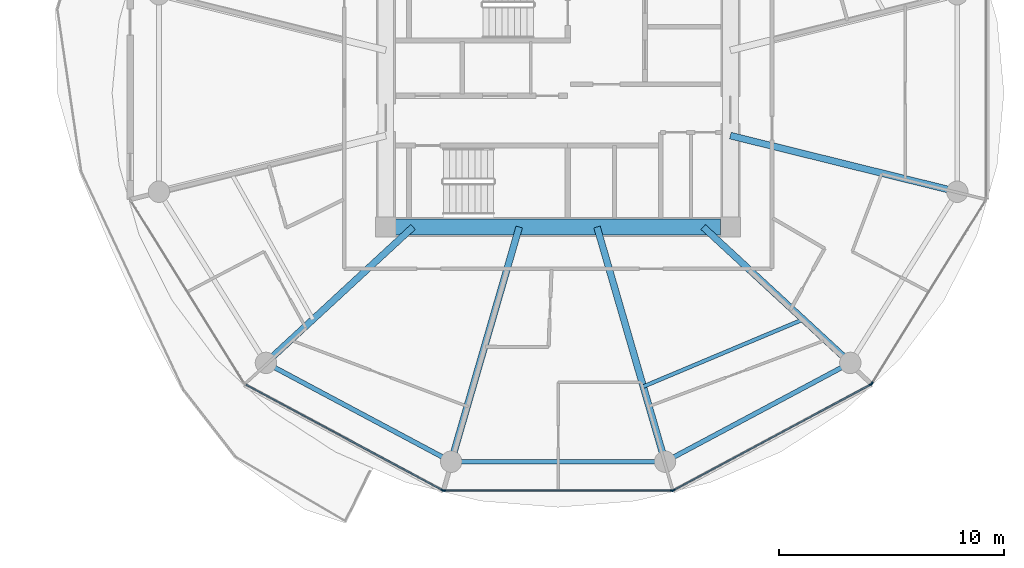
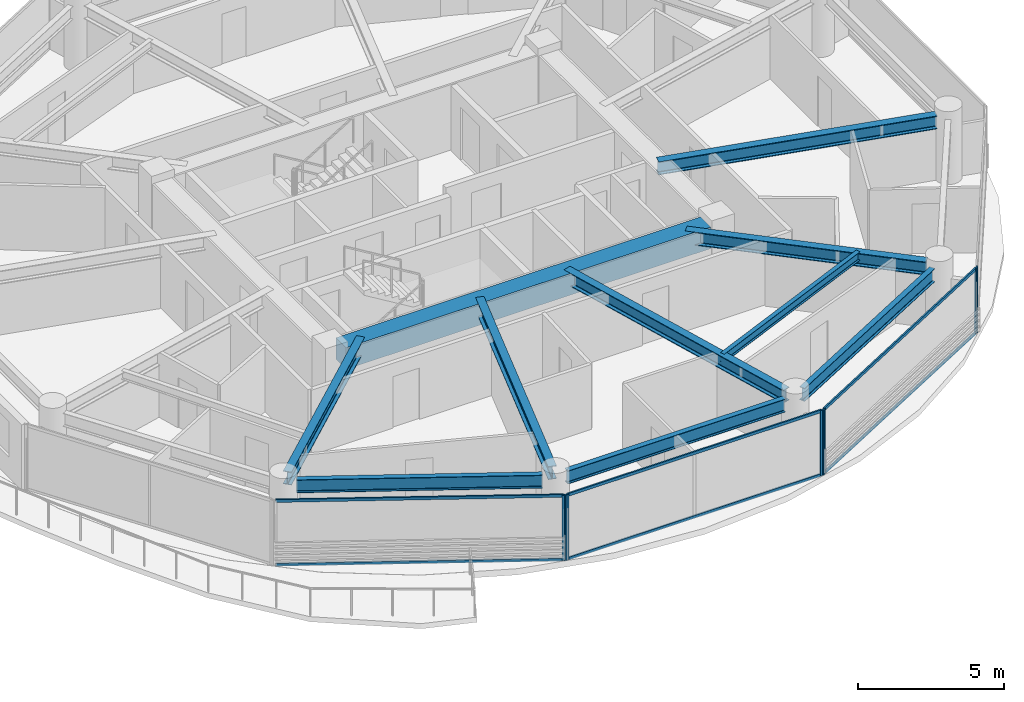
# One storey, part 10 of 26: 12 members, 10 beams, 4 elements without a shape of their own.
"""IFC4 building model written with IfcOpenShell, lengths in metres."""

from ifc_helpers import new_model, si_unit, direction, frame, origin, origin_2d, place, context, subcontext, project, spatial, rectangle, i_section, extrude, source, transform, mapped, material, layer, layer_set, material_profile, profile_set, type_object, type_shapes, element, aggregate, save


model = new_model("IFC4")

# Units and contexts
model_context = context("Model", 3, precision=1e-05, world=origin(), true_north=direction((0.0, 1.0)))
body_context = subcontext(model_context, "Body", "Model", "MODEL_VIEW")
ifc_project = project(units=[si_unit("LENGTHUNIT", "METRE"), si_unit("AREAUNIT", "SQUARE_METRE"), si_unit("VOLUMEUNIT", "CUBIC_METRE"), si_unit("PLANEANGLEUNIT", "RADIAN"), si_unit("MASSUNIT", "GRAM", prefix="KILO")], contexts=[model_context])

# Site, building, storey
site_placement = place(None, origin())
site = spatial("IfcSite", under=ifc_project, at=site_placement, CompositionType="ELEMENT")
building_placement = place(site_placement, origin())
building = spatial("IfcBuilding", under=site, at=building_placement, Name="Norrkilde Senior Care Towers", CompositionType="ELEMENT")
storey_placement = place(building_placement, frame((0.0, 0.0, 70.39990234375)))
storey = spatial("IfcBuildingStorey", under=building, at=storey_placement, Name="L21", CompositionType="ELEMENT", Elevation=70.39990234375)

# Beams
ifc_material_1 = material(Name="Concrete C60/75", Category="concrete")
ifc_material_profile_1 = material_profile(ifc_material_1, rectangle(XDim=0.699951171875, YDim=0.89990234375, at=origin_2d()), Name="RC BM 700x900")
ifc_profile_set_1 = profile_set([ifc_material_profile_1], Name="Concrete C60/75")
beam_type_1 = type_object("IfcBeamType", Name="Core Coupling Girder 700x900", PredefinedType="USERDEFINED", material=ifc_profile_set_1)
shared_shape_1 = source(origin(), body_context, "Body", "SweptSolid", [
    extrude(rectangle(XDim=0.699951171875, YDim=0.89990234375, at=origin_2d()), origin(), (0.0, 0.0, 1.0), 14.43994140625),
])
type_shapes(beam_type_1, [shared_shape_1])
beam_1_placement = place(storey_placement, frame((20.780029296875, -5.949951171875, 2.280029296875), z_axis=(1.0, 0.0, 0.0), x_axis=(0.0, 1.0, 0.0)))
element("IfcBeam", 1, at=beam_1_placement, inside=storey, type_object=beam_type_1, Name="L21 Core E S Coupling Girder", ObjectType="GIRDER", PredefinedType="USERDEFINED", context=body_context, shape_type="MappedRepresentation", body=[
    mapped(shared_shape_1, transform((0.0, 0.0, 0.0), x_axis=(1.0, 0.0, 0.0), y_axis=(0.0, 1.0, 0.0), z_axis=(0.0, 0.0, 1.0), scale=1.0)),
])
ifc_material_2 = material(Name="Steel S355", Category="steel")
ifc_material_profile_2 = material_profile(ifc_material_2, i_section(OverallWidth=0.300048828125, OverallDepth=0.550048828125, WebThickness=0.014892578125, FlangeThickness=0.029052734375, FilletRadius=0.027099609375, at=origin_2d()), Name="HEB 550")
ifc_profile_set_2 = profile_set([ifc_material_profile_2], Name="Steel S355")
beam_type_2 = type_object("IfcBeamType", Name="Radial Floor Beam Z1 HEB550", PredefinedType="BEAM", material=ifc_profile_set_2)
shared_shape_2 = source(origin(), body_context, "Body", "SweptSolid", [
    extrude(i_section(OverallWidth=0.300048828125, OverallDepth=0.550048828125, WebThickness=0.014892578125, FlangeThickness=0.029052734375, FilletRadius=0.027099609375, at=origin_2d()), origin(), (0.0, 0.0, 1.0), 9.94384765625),
])
beam_2_placement = place(storey_placement, frame((35.64990234375, -1.893310546875, 2.455078125), z_axis=(0.970707425182, -0.240264634718, 0.0), x_axis=(0.240264634718, 0.970707425182, 0.0)))
element("IfcBeam", 2, at=beam_2_placement, inside=storey, type_object=beam_type_2, Name="L21 Drum E Radial Floor Beam 12", PredefinedType="BEAM", context=body_context, shape_type="MappedRepresentation", body=[
    mapped(shared_shape_2, transform((0.0, 0.0, 0.0), x_axis=(1.0, 0.0, 0.0), y_axis=(0.0, 1.0, 0.0), z_axis=(0.0, 0.0, 1.0), scale=1.0)),
])
ifc_material_profile_3 = material_profile(ifc_material_2, i_section(OverallWidth=0.2099609375, OverallDepth=0.550048828125, WebThickness=0.010986328125, FlangeThickness=0.01708984375, FilletRadius=0.02392578125, at=origin_2d()), Name="IPE 550")
ifc_profile_set_3 = profile_set([ifc_material_profile_3], Name="Steel S355")
beam_type_3 = type_object("IfcBeamType", Name="Perimeter Ring Spandrel Z1 IPE550", PredefinedType="SPANDREL", material=ifc_profile_set_3)
shared_shape_3 = source(origin(), body_context, "Body", "SweptSolid", [
    extrude(i_section(OverallWidth=0.2099609375, OverallDepth=0.550048828125, WebThickness=0.010986328125, FlangeThickness=0.01708984375, FilletRadius=0.02392578125, at=origin_2d()), origin(), (0.0, 0.0, 1.0), 8.452880859375),
])
for number, where, z_axis, x_axis, name in (
    (3, (15.408447265625, -12.190185546875, 2.455078125), (0.882368931134, -0.470558252898, 0.0), (0.470558252898, 0.882368931134, 0.0), "L21 Drum E Perimeter Spandrel 08"),
    (4, (33.133056640625, -16.167724609375, 2.455078125), (0.882368931134, 0.470558252898, 0.0), (-0.470558252898, 0.882368931134, 0.0), "L21 Drum E Perimeter Spandrel 10"),
):
    element("IfcBeam", number, at=place(storey_placement, frame(where, z_axis=z_axis, x_axis=x_axis)), inside=storey, type_object=beam_type_3, Name=name, PredefinedType="SPANDREL", context=body_context, shape_type="MappedRepresentation", body=[
        mapped(shared_shape_3, transform((0.0, 0.0, 0.0), x_axis=(1.0, 0.0, 0.0), y_axis=(0.0, 1.0, 0.0), z_axis=(0.0, 0.0, 1.0), scale=1.0)),
    ])
shared_shape_4 = source(origin(), body_context, "Body", "SweptSolid", [
    extrude(i_section(OverallWidth=0.300048828125, OverallDepth=0.550048828125, WebThickness=0.014892578125, FlangeThickness=0.029052734375, FilletRadius=0.027099609375, at=origin_2d()), origin(), (0.0, 0.0, 1.0), 8.459716796875),
])
for number, where, z_axis, x_axis, name in (
    (5, (21.55859375, -5.949951171875, 2.455078125), (-0.734573269108, -0.678529374686, 0.0), (0.678529374686, -0.734573269108, 0.0), "L21 Drum E Radial Floor Beam 08"),
    (6, (34.44140625, -5.949951171875, 2.455078125), (0.734573269108, -0.678529374686, 0.0), (0.678529374686, 0.734573269108, 0.0), "L21 Drum E Radial Floor Beam 11"),
):
    element("IfcBeam", number, at=place(storey_placement, frame(where, z_axis=z_axis, x_axis=x_axis)), inside=storey, type_object=beam_type_2, Name=name, PredefinedType="BEAM", context=body_context, shape_type="MappedRepresentation", body=[
        mapped(shared_shape_4, transform((0.0, 0.0, 0.0), x_axis=(1.0, 0.0, 0.0), y_axis=(0.0, 1.0, 0.0), z_axis=(0.0, 0.0, 1.0), scale=1.0)),
    ])
shared_shape_5 = source(origin(), body_context, "Body", "SweptSolid", [
    extrude(i_section(OverallWidth=0.2099609375, OverallDepth=0.550048828125, WebThickness=0.010986328125, FlangeThickness=0.01708984375, FilletRadius=0.02392578125, at=origin_2d()), origin(), (0.0, 0.0, 1.0), 8.62841796875),
])
type_shapes(beam_type_3, [shared_shape_3, shared_shape_5])
beam_3_placement = place(storey_placement, frame((23.685791015625, -16.37255859375, 2.455078125), z_axis=(1.0, 0.0, 0.0), x_axis=(0.0, 1.0, 0.0)))
element("IfcBeam", 7, at=beam_3_placement, inside=storey, type_object=beam_type_3, Name="L21 Drum E Perimeter Spandrel 09", PredefinedType="SPANDREL", context=body_context, shape_type="MappedRepresentation", body=[
    mapped(shared_shape_5, transform((0.0, 0.0, 0.0), x_axis=(1.0, 0.0, 0.0), y_axis=(0.0, 1.0, 0.0), z_axis=(0.0, 0.0, 1.0), scale=1.0)),
])
shared_shape_6 = source(origin(), body_context, "Body", "SweptSolid", [
    extrude(i_section(OverallWidth=0.300048828125, OverallDepth=0.550048828125, WebThickness=0.014892578125, FlangeThickness=0.029052734375, FilletRadius=0.027099609375, at=origin_2d()), origin(), (0.0, 0.0, 1.0), 10.4169921875),
])
type_shapes(beam_type_2, [shared_shape_2, shared_shape_4, shared_shape_6])
for number, where, z_axis, x_axis, name in (
    (8, (26.27392578125, -5.949951171875, 2.455078125), (-0.278591250785, -0.960409764104, 0.0), (0.960409764104, -0.278591250785, 0.0), "L21 Drum E Radial Floor Beam 09"),
    (9, (29.72607421875, -5.949951171875, 2.455078125), (0.278591250785, -0.960409764104, 0.0), (0.960409764104, 0.278591250785, 0.0), "L21 Drum E Radial Floor Beam 10"),
):
    element("IfcBeam", number, at=place(storey_placement, frame(where, z_axis=z_axis, x_axis=x_axis)), inside=storey, type_object=beam_type_2, Name=name, PredefinedType="BEAM", context=body_context, shape_type="MappedRepresentation", body=[
        mapped(shared_shape_6, transform((0.0, 0.0, 0.0), x_axis=(1.0, 0.0, 0.0), y_axis=(0.0, 1.0, 0.0), z_axis=(0.0, 0.0, 1.0), scale=1.0)),
    ])
ifc_material_profile_4 = material_profile(ifc_material_2, i_section(OverallWidth=0.169921875, OverallDepth=0.360107421875, WebThickness=0.008056640625, FlangeThickness=0.0126953125, FilletRadius=0.01806640625, at=origin_2d()), Name="IPE 360")
ifc_profile_set_4 = profile_set([ifc_material_profile_4], Name="Steel S355")
beam_type_4 = type_object("IfcBeamType", Name="Secondary Floor Joist IPE360", PredefinedType="JOIST", material=ifc_profile_set_4)
shared_shape_7 = source(origin(), body_context, "Body", "SweptSolid", [
    extrude(i_section(OverallWidth=0.169921875, OverallDepth=0.360107421875, WebThickness=0.008056640625, FlangeThickness=0.0126953125, FilletRadius=0.01806640625, at=origin_2d()), origin(), (0.0, 0.0, 1.0), 7.703857421875),
])
type_shapes(beam_type_4, [shared_shape_7])
beam_4_placement = place(storey_placement, frame((31.78173828125, -13.037353515625, 2.550048828125), z_axis=(0.921982784465, 0.387230868023, 0.0), x_axis=(-0.387230868023, 0.921982784465, 0.0)))
element("IfcBeam", 10, at=beam_4_placement, inside=storey, type_object=beam_type_4, Name="L21 Drum E Secondary Floor Joist 4", PredefinedType="JOIST", context=body_context, shape_type="MappedRepresentation", body=[
    mapped(shared_shape_7, transform((0.0, 0.0, 0.0), x_axis=(1.0, 0.0, 0.0), y_axis=(0.0, 1.0, 0.0), z_axis=(0.0, 0.0, 1.0), scale=1.0)),
])

# Curtain wall, members
ifc_material_3 = material(Name="Triple Low-E Insulated Glazing", Category="glass")
ifc_layer = layer(ifc_material_3, 0.199951171875)
ifc_layer_set = layer_set([ifc_layer], Name="Triple Low-E Insulated Glazing")
curtain_wall_type = type_object("IfcCurtainWallType", Name="CW2 Zone 1 Memory Care Curtain Wall", PredefinedType="NOTDEFINED", material=ifc_layer_set)
curtain_wall_1_placement = place(storey_placement, origin())
curtain_wall_1 = element("IfcCurtainWall", 11, at=curtain_wall_1_placement, inside=storey, type_object=curtain_wall_type, Name="L21 Drum E Curtain Wall 07", PredefinedType="NOTDEFINED")
ifc_material_4 = material(Name="Anodised Aluminium", Category="aluminium")
ifc_material_profile_5 = material_profile(ifc_material_4, rectangle(XDim=0.06005859375, YDim=0.1201171875, at=origin_2d()), Name="ALU TRAN 60x120")
ifc_profile_set_5 = profile_set([ifc_material_profile_5], Name="Anodised Aluminium")
member_type_1 = type_object("IfcMemberType", Name="Curtain Wall Transom Typical 60x120", PredefinedType="USERDEFINED", material=ifc_profile_set_5)
shared_shape_8 = source(origin(), body_context, "Body", "SweptSolid", [
    extrude(rectangle(XDim=0.06005859375, YDim=0.1201171875, at=origin_2d()), origin(), (0.0, 0.0, 1.0), 9.880859375),
])
member_1_placement = place(storey_placement, frame((22.84912109375, -17.62646484375, 0.030029296875), z_axis=(-0.881267204043, 0.47261836092, 0.0), x_axis=(-0.47261836092, -0.881267204043, 0.0)))
member_1 = element("IfcMember", 12, at=member_1_placement, type_object=member_type_1, Name="CW-2 transom 1.1", ObjectType="TRANSOM", PredefinedType="USERDEFINED", context=body_context, shape_type="MappedRepresentation", body=[
    mapped(shared_shape_8, transform((0.0, 0.0, 0.0), x_axis=(1.0, 0.0, 0.0), y_axis=(0.0, 1.0, 0.0), z_axis=(0.0, 0.0, 1.0), scale=1.0)),
])
member_2_placement = place(storey_placement, frame((22.84912109375, -17.62646484375, 2.7001953125), z_axis=(-0.881267204043, 0.47261836092, 0.0), x_axis=(-0.47261836092, -0.881267204043, 0.0)))
member_2 = element("IfcMember", 13, at=member_2_placement, type_object=member_type_1, Name="CW-2 transom 1.2", ObjectType="TRANSOM", PredefinedType="USERDEFINED", context=body_context, shape_type="MappedRepresentation", body=[
    mapped(shared_shape_8, transform((0.0, 0.0, 0.0), x_axis=(1.0, 0.0, 0.0), y_axis=(0.0, 1.0, 0.0), z_axis=(0.0, 0.0, 1.0), scale=1.0)),
])

curtain_wall_2_placement = place(storey_placement, origin())
curtain_wall_2 = element("IfcCurtainWall", 14, at=curtain_wall_2_placement, inside=storey, type_object=curtain_wall_type, Name="L21 Drum E Curtain Wall 09", PredefinedType="NOTDEFINED")
member_3_placement = place(storey_placement, frame((41.858642578125, -12.95654296875, 0.030029296875), z_axis=(-0.881267204043, -0.47261836092, 0.0), x_axis=(0.47261836092, -0.881267204043, 0.0)))
member_3 = element("IfcMember", 15, at=member_3_placement, type_object=member_type_1, Name="CW-2 transom 1.1", ObjectType="TRANSOM", PredefinedType="USERDEFINED", context=body_context, shape_type="MappedRepresentation", body=[
    mapped(shared_shape_8, transform((0.0, 0.0, 0.0), x_axis=(1.0, 0.0, 0.0), y_axis=(0.0, 1.0, 0.0), z_axis=(0.0, 0.0, 1.0), scale=1.0)),
])
member_4_placement = place(storey_placement, frame((41.858642578125, -12.95654296875, 2.7001953125), z_axis=(-0.881267204043, -0.47261836092, 0.0), x_axis=(0.47261836092, -0.881267204043, 0.0)))
member_4 = element("IfcMember", 16, at=member_4_placement, type_object=member_type_1, Name="CW-2 transom 1.2", ObjectType="TRANSOM", PredefinedType="USERDEFINED", context=body_context, shape_type="MappedRepresentation", body=[
    mapped(shared_shape_8, transform((0.0, 0.0, 0.0), x_axis=(1.0, 0.0, 0.0), y_axis=(0.0, 1.0, 0.0), z_axis=(0.0, 0.0, 1.0), scale=1.0)),
])

curtain_wall_3_placement = place(storey_placement, origin())
curtain_wall_3 = element("IfcCurtainWall", 17, at=curtain_wall_3_placement, inside=storey, type_object=curtain_wall_type, Name="L21 Drum E Curtain Wall 08", PredefinedType="NOTDEFINED")
shared_shape_9 = source(origin(), body_context, "Body", "SweptSolid", [
    extrude(rectangle(XDim=0.06005859375, YDim=0.1201171875, at=origin_2d()), origin(), (0.0, 0.0, 1.0), 10.05712890625),
])
type_shapes(member_type_1, [shared_shape_8, shared_shape_9])
member_5_placement = place(storey_placement, frame((33.028564453125, -17.6572265625, 0.030029296875), z_axis=(-1.0, 0.0, 0.0), x_axis=(0.0, -1.0, 0.0)))
member_5 = element("IfcMember", 18, at=member_5_placement, type_object=member_type_1, Name="CW-2 transom 1.1", ObjectType="TRANSOM", PredefinedType="USERDEFINED", context=body_context, shape_type="MappedRepresentation", body=[
    mapped(shared_shape_9, transform((0.0, 0.0, 0.0), x_axis=(1.0, 0.0, 0.0), y_axis=(0.0, 1.0, 0.0), z_axis=(0.0, 0.0, 1.0), scale=1.0)),
])
member_6_placement = place(storey_placement, frame((33.028564453125, -17.6572265625, 2.7001953125), z_axis=(-1.0, 0.0, 0.0), x_axis=(0.0, -1.0, 0.0)))
member_6 = element("IfcMember", 19, at=member_6_placement, type_object=member_type_1, Name="CW-2 transom 1.2", ObjectType="TRANSOM", PredefinedType="USERDEFINED", context=body_context, shape_type="MappedRepresentation", body=[
    mapped(shared_shape_9, transform((0.0, 0.0, 0.0), x_axis=(1.0, 0.0, 0.0), y_axis=(0.0, 1.0, 0.0), z_axis=(0.0, 0.0, 1.0), scale=1.0)),
])

# Member
ifc_material_profile_6 = material_profile(ifc_material_4, rectangle(XDim=0.06494140625, YDim=0.159912109375, at=origin_2d()), Name="ALU MULL 65x160")
ifc_profile_set_6 = profile_set([ifc_material_profile_6], Name="Anodised Aluminium")
member_type_2 = type_object("IfcMemberType", Name="Curtain Wall Mullion Z1-Z2 65x160", PredefinedType="MULLION", material=ifc_profile_set_6)
shared_shape_10 = source(origin(), body_context, "Body", "SweptSolid", [
    extrude(rectangle(XDim=0.06494140625, YDim=0.159912109375, at=origin_2d()), origin(), (0.0, 0.0, 1.0), 2.72998046875),
])
type_shapes(member_type_2, [shared_shape_10])
member_7_placement = place(storey_placement, frame((22.877685546875, -17.641845703125, 0.0), z_axis=(0.0, 0.0, 1.0), x_axis=(-0.472607802456, -0.881272866403, 0.0)))
member_7 = element("IfcMember", 20, at=member_7_placement, type_object=member_type_2, Name="CW-2 mullion 1", PredefinedType="MULLION", context=body_context, shape_type="MappedRepresentation", body=[
    mapped(shared_shape_10, transform((0.0, 0.0, 0.0), x_axis=(1.0, 0.0, 0.0), y_axis=(0.0, 1.0, 0.0), z_axis=(0.0, 0.0, 1.0), scale=1.0)),
])

aggregate(curtain_wall_1, [member_7, member_1, member_2])

member_8_placement = place(storey_placement, frame((33.06103515625, -17.6572265625, 0.0), z_axis=(0.0, 0.0, 1.0), x_axis=(0.0, -1.0, 0.0)))
member_8 = element("IfcMember", 21, at=member_8_placement, type_object=member_type_2, Name="CW-2 mullion 1", PredefinedType="MULLION", context=body_context, shape_type="MappedRepresentation", body=[
    mapped(shared_shape_10, transform((0.0, 0.0, 0.0), x_axis=(1.0, 0.0, 0.0), y_axis=(0.0, 1.0, 0.0), z_axis=(0.0, 0.0, 1.0), scale=1.0)),
])

member_9_placement = place(storey_placement, frame((22.93896484375, -17.6572265625, 0.0), z_axis=(0.0, 0.0, 1.0), x_axis=(0.0, -1.0, 0.0)))
member_9 = element("IfcMember", 22, at=member_9_placement, type_object=member_type_2, Name="CW-2 mullion 2", PredefinedType="MULLION", context=body_context, shape_type="MappedRepresentation", body=[
    mapped(shared_shape_10, transform((0.0, 0.0, 0.0), x_axis=(1.0, 0.0, 0.0), y_axis=(0.0, 1.0, 0.0), z_axis=(0.0, 0.0, 1.0), scale=1.0)),
])

aggregate(curtain_wall_3, [member_8, member_9, member_5, member_6])

member_10_placement = place(storey_placement, frame((41.88720703125, -12.941162109375, 0.0), z_axis=(0.0, 0.0, 1.0), x_axis=(0.472607802456, -0.881272866403, 0.0)))
member_10 = element("IfcMember", 23, at=member_10_placement, type_object=member_type_2, Name="CW-2 mullion 1", PredefinedType="MULLION", context=body_context, shape_type="MappedRepresentation", body=[
    mapped(shared_shape_10, transform((0.0, 0.0, 0.0), x_axis=(1.0, 0.0, 0.0), y_axis=(0.0, 1.0, 0.0), z_axis=(0.0, 0.0, 1.0), scale=1.0)),
])

member_11_placement = place(storey_placement, frame((33.122314453125, -17.641845703125, 0.0), z_axis=(0.0, 0.0, 1.0), x_axis=(0.472607802456, -0.881272866403, 0.0)))
member_11 = element("IfcMember", 24, at=member_11_placement, type_object=member_type_2, Name="CW-2 mullion 2", PredefinedType="MULLION", context=body_context, shape_type="MappedRepresentation", body=[
    mapped(shared_shape_10, transform((0.0, 0.0, 0.0), x_axis=(1.0, 0.0, 0.0), y_axis=(0.0, 1.0, 0.0), z_axis=(0.0, 0.0, 1.0), scale=1.0)),
])

aggregate(curtain_wall_2, [member_10, member_11, member_3, member_4])

# Curtain wall, member
curtain_wall_4_placement = place(storey_placement, origin())
curtain_wall_4 = element("IfcCurtainWall", 25, at=curtain_wall_4_placement, inside=storey, type_object=curtain_wall_type, Name="L21 Drum E Curtain Wall 10", PredefinedType="NOTDEFINED")
member_12_placement = place(storey_placement, frame((41.93310546875, -12.898193359375, 0.0), z_axis=(0.0, 0.0, 1.0), x_axis=(0.849305943117, -0.527900951871, 0.0)))
member_12 = element("IfcMember", 26, at=member_12_placement, type_object=member_type_2, Name="CW-2 mullion 2", PredefinedType="MULLION", context=body_context, shape_type="MappedRepresentation", body=[
    mapped(shared_shape_10, transform((0.0, 0.0, 0.0), x_axis=(1.0, 0.0, 0.0), y_axis=(0.0, 1.0, 0.0), z_axis=(0.0, 0.0, 1.0), scale=1.0)),
])
aggregate(curtain_wall_4, [member_12])

save(model, "model.ifc")
